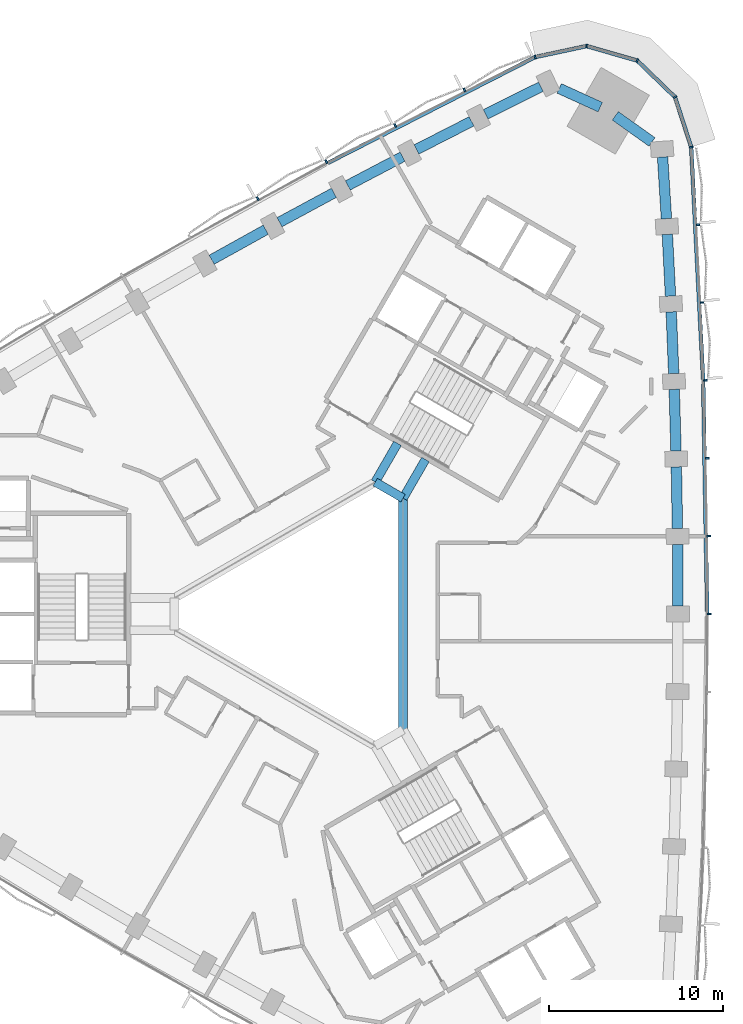
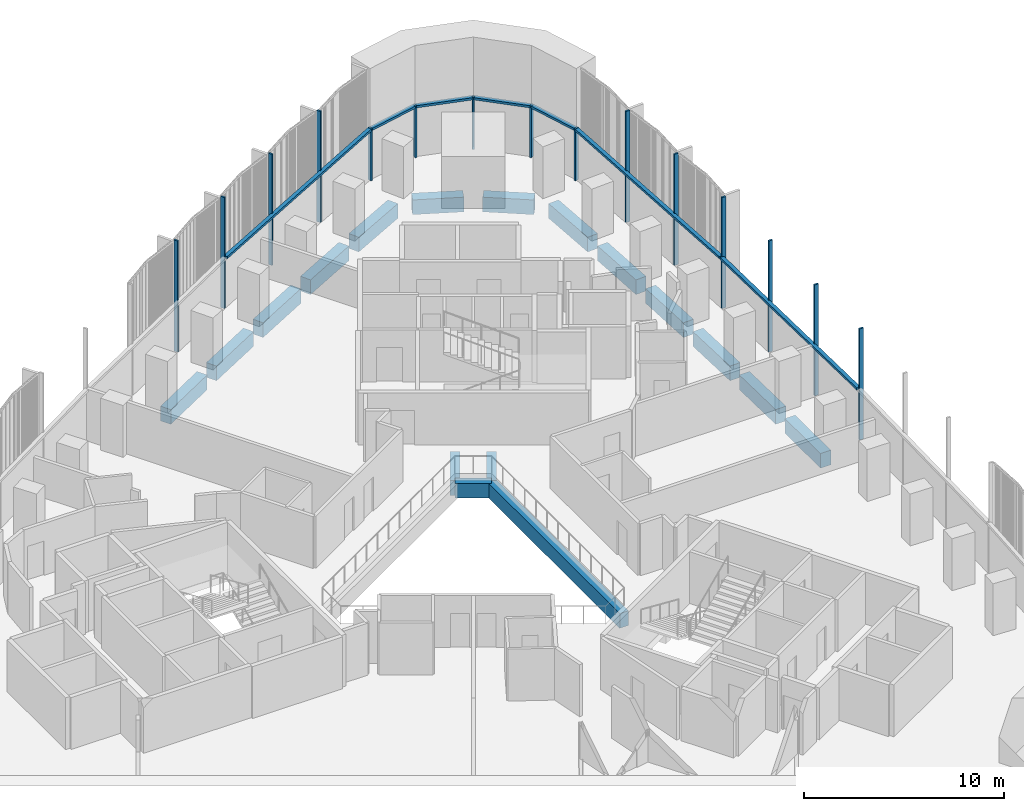
# One storey, part 5 of 15: 22 members, 17 beams, 2 elements without a shape of their own.
"""IFC4 building model written with IfcOpenShell, lengths in metres."""

from ifc_helpers import new_model, si_unit, direction, frame, origin, origin_2d, place, context, subcontext, project, spatial, rectangle, extrude, material, material_profile, profile_set, type_object, element, aggregate, save


model = new_model("IFC4")

# Units and contexts
model_context = context("Model", 3, precision=1e-05, world=origin(), true_north=direction((0.0, 1.0)))
body_context = subcontext(model_context, "Body", "Model", "MODEL_VIEW")
ifc_project = project(units=[si_unit("LENGTHUNIT", "METRE"), si_unit("AREAUNIT", "SQUARE_METRE"), si_unit("VOLUMEUNIT", "CUBIC_METRE"), si_unit("PLANEANGLEUNIT", "RADIAN"), si_unit("MASSUNIT", "GRAM", prefix="KILO")], contexts=[model_context])

# Site, building, storey
site_placement = place(None, origin())
site = spatial("IfcSite", under=ifc_project, at=site_placement, CompositionType="ELEMENT")
building_placement = place(site_placement, origin())
building = spatial("IfcBuilding", under=site, at=building_placement, Name="Tamra Quay Hotel Tower", CompositionType="ELEMENT")
storey_placement = place(building_placement, frame((0.0, 0.0, 111.800048828125)))
storey = spatial("IfcBuildingStorey", under=building, at=storey_placement, Name="L27", CompositionType="ELEMENT", Elevation=111.800048828125)

# Beams
ifc_material_1 = material(Name="Concrete M60", Category="concrete")
ifc_material_profile_1 = material_profile(ifc_material_1, rectangle(XDim=0.5, YDim=0.89990234375, at=origin_2d()), Name="ATRIUM EDGE BEAM RC 500x900")
ifc_profile_set_1 = profile_set([ifc_material_profile_1], Name="Concrete M60")
beam_type_1 = type_object("IfcBeamType", Name="ATRIUM EDGE BEAM RC 500x900", PredefinedType="BEAM", material=ifc_profile_set_1)
beam_1_placement = place(storey_placement, frame((4.89990234375, 6.639404296875, -0.875), z_axis=(0.0, -1.0, 0.0), x_axis=(1.0, 0.0, 0.0)))
element("IfcBeam", 1, at=beam_1_placement, inside=storey, type_object=beam_type_1, Name="BM-AB0-L27", PredefinedType="BEAM", context=body_context, shape_type="SweptSolid", body=[
    extrude(rectangle(XDim=0.5, YDim=0.89990234375, at=origin_2d()), origin(), (0.0, 0.0, 1.0), 13.27880859375),
])
beam_2_placement = place(storey_placement, frame((3.300048828125, 7.563232421875, -0.875), z_axis=(0.865989712182, -0.500061814573, 0.0), x_axis=(0.500061814573, 0.865989712182, 0.0)))
element("IfcBeam", 2, at=beam_2_placement, inside=storey, type_object=beam_type_1, Name="BM-AB5-L27", PredefinedType="BEAM", context=body_context, shape_type="SweptSolid", body=[
    extrude(rectangle(XDim=0.5, YDim=0.89990234375, at=origin_2d()), origin(), (0.0, 0.0, 1.0), 1.847412109375),
])
ifc_material_profile_2 = material_profile(ifc_material_1, rectangle(XDim=0.5, YDim=0.89990234375, at=origin_2d()), Name="ATRIUM TIE BEAM RC 500x900")
ifc_profile_set_2 = profile_set([ifc_material_profile_2], Name="Concrete M60")
beam_type_2 = type_object("IfcBeamType", Name="ATRIUM TIE BEAM RC 500x900", PredefinedType="BEAM", material=ifc_profile_set_2)
for number, where, z_axis, x_axis, name in (
    (3, (4.89990234375, 6.639404296875, -0.875), (0.50003311468, 0.866006284171, 0.0), (-0.866006284171, 0.50003311468, 0.0), "BM-TIE-0-L27"),
    (4, (3.300048828125, 7.563232421875, -0.875), (0.499961652204, 0.866047542763, 0.0), (-0.866047542763, 0.499961652204, 0.0), "BM-TIE-5-L27"),
):
    element("IfcBeam", number, at=place(storey_placement, frame(where, z_axis=z_axis, x_axis=x_axis)), inside=storey, type_object=beam_type_2, Name=name, PredefinedType="BEAM", context=body_context, shape_type="SweptSolid", body=[
        extrude(rectangle(XDim=0.5, YDim=0.89990234375, at=origin_2d()), origin(), (0.0, 0.0, 1.0), 2.562255859375),
    ])

# Curtain wall, members
ifc_material_2 = material(Name="Aluminium 6063 anodised dark grey", Category="aluminium")
curtain_wall_type_1 = type_object("IfcCurtainWallType", Name="CW1 CURTAIN WALL", PredefinedType="NOTDEFINED", material=ifc_material_2)
curtain_wall_1_placement = place(storey_placement, origin())
curtain_wall_1 = element("IfcCurtainWall", 5, at=curtain_wall_1_placement, inside=storey, type_object=curtain_wall_type_1, Name="CW1 east face L27", PredefinedType="NOTDEFINED")
ifc_material_profile_3 = material_profile(ifc_material_2, rectangle(XDim=0.219970703125, YDim=0.10009765625, at=origin_2d()), Name="MULLION 100X220")
ifc_profile_set_3 = profile_set([ifc_material_profile_3], Name="Aluminium 6063 anodised dark grey")
member_type_1 = type_object("IfcMemberType", Name="MULLION CW1 Z2", PredefinedType="MULLION", material=ifc_profile_set_3)
member_1_placement = place(storey_placement, frame((22.44287109375, 0.0, 0.0), z_axis=(0.0, 0.0, 1.0), x_axis=(1.0, 0.0, 0.0)))
member_1 = element("IfcMember", 6, at=member_1_placement, type_object=member_type_1, Name="CW1 mullion L27.E.7", PredefinedType="MULLION", context=body_context, shape_type="SweptSolid", body=[
    extrude(rectangle(XDim=0.219970703125, YDim=0.10009765625, at=origin_2d()), origin(), (0.0, 0.0, 1.0), 6.800048828125),
])
member_2_placement = place(storey_placement, frame((22.41748046875, 4.465087890625, 0.0), z_axis=(0.0, 0.0, 1.0), x_axis=(0.999934749978, 0.011423475244, 0.0)))
member_2 = element("IfcMember", 7, at=member_2_placement, type_object=member_type_1, Name="CW1 mullion L27.E.8", PredefinedType="MULLION", context=body_context, shape_type="SweptSolid", body=[
    extrude(rectangle(XDim=0.219970703125, YDim=0.10009765625, at=origin_2d()), origin(), (0.0, 0.0, 1.0), 6.800048828125),
])
member_3_placement = place(storey_placement, frame((22.341064453125, 8.9296875, 0.0), z_axis=(0.0, 0.0, 1.0), x_axis=(0.99973912308, 0.022840441834, 0.0)))
member_3 = element("IfcMember", 8, at=member_3_placement, type_object=member_type_1, Name="CW1 mullion L27.E.9", PredefinedType="MULLION", context=body_context, shape_type="SweptSolid", body=[
    extrude(rectangle(XDim=0.219970703125, YDim=0.10009765625, at=origin_2d()), origin(), (0.0, 0.0, 1.0), 6.800048828125),
])
member_4_placement = place(storey_placement, frame((22.21337890625, 13.39306640625, 0.0), z_axis=(0.0, 0.0, 1.0), x_axis=(0.999413449002, 0.034245553786, 0.0)))
member_4 = element("IfcMember", 9, at=member_4_placement, type_object=member_type_1, Name="CW1 mullion L27.E.10", PredefinedType="MULLION", context=body_context, shape_type="SweptSolid", body=[
    extrude(rectangle(XDim=0.219970703125, YDim=0.10009765625, at=origin_2d()), origin(), (0.0, 0.0, 1.0), 6.800048828125),
])
member_5_placement = place(storey_placement, frame((22.03515625, 17.854736328125, 0.0), z_axis=(0.0, 0.0, 1.0), x_axis=(0.99895827695, 0.045632892877, 0.0)))
member_5 = element("IfcMember", 10, at=member_5_placement, type_object=member_type_1, Name="CW1 mullion L27.E.11", PredefinedType="MULLION", context=body_context, shape_type="SweptSolid", body=[
    extrude(rectangle(XDim=0.219970703125, YDim=0.10009765625, at=origin_2d()), origin(), (0.0, 0.0, 1.0), 6.800048828125),
])
member_6_placement = place(storey_placement, frame((21.805908203125, 22.31396484375, 0.0), z_axis=(0.0, 0.0, 1.0), x_axis=(0.998374392499, 0.056996249012, 0.0)))
member_6 = element("IfcMember", 11, at=member_6_placement, type_object=member_type_1, Name="CW1 mullion L27.E.12", PredefinedType="MULLION", context=body_context, shape_type="SweptSolid", body=[
    extrude(rectangle(XDim=0.219970703125, YDim=0.10009765625, at=origin_2d()), origin(), (0.0, 0.0, 1.0), 6.800048828125),
])
member_7_placement = place(storey_placement, frame((21.41650390625, 26.762451171875, 0.0), z_axis=(0.0, 0.0, 1.0), x_axis=(0.982419074219, 0.18668894614, 0.0)))
member_7 = element("IfcMember", 12, at=member_7_placement, type_object=member_type_1, Name="CW1 mullion L27.E.13", PredefinedType="MULLION", context=body_context, shape_type="SweptSolid", body=[
    extrude(rectangle(XDim=0.219970703125, YDim=0.10009765625, at=origin_2d()), origin(), (0.0, 0.0, 1.0), 3.175048828125),
])
member_8_placement = place(storey_placement, frame((20.488037109375, 29.6328125, 0.0), z_axis=(0.0, 0.0, 1.0), x_axis=(0.848503146373, 0.529190334941, 0.0)))
member_8 = element("IfcMember", 13, at=member_8_placement, type_object=member_type_1, Name="CW1 mullion L27.E.14", PredefinedType="MULLION", context=body_context, shape_type="SweptSolid", body=[
    extrude(rectangle(XDim=0.219970703125, YDim=0.10009765625, at=origin_2d()), origin(), (0.0, 0.0, 1.0), 3.175048828125),
])
member_9_placement = place(storey_placement, frame((18.31884765625, 31.729248046875, 0.0), z_axis=(0.0, 0.0, 1.0), x_axis=(0.5, 0.866025403784, 0.0)))
member_9 = element("IfcMember", 14, at=member_9_placement, type_object=member_type_1, Name="CW1 mullion L27.E.15", PredefinedType="MULLION", context=body_context, shape_type="SweptSolid", body=[
    extrude(rectangle(XDim=0.219970703125, YDim=0.10009765625, at=origin_2d()), origin(), (0.0, 0.0, 1.0), 3.175048828125),
])
member_10_placement = place(storey_placement, frame((15.418701171875, 32.559326171875, 0.0), z_axis=(0.0, 0.0, 1.0), x_axis=(0.03404070031, 0.999420447421, 0.0)))
member_10 = element("IfcMember", 15, at=member_10_placement, type_object=member_type_1, Name="CW1 mullion L27.E.16", PredefinedType="MULLION", context=body_context, shape_type="SweptSolid", body=[
    extrude(rectangle(XDim=0.219970703125, YDim=0.10009765625, at=origin_2d()), origin(), (0.0, 0.0, 1.0), 3.175048828125),
])

curtain_wall_type_2 = type_object("IfcCurtainWallType", Name="CW2 CURTAIN WALL", PredefinedType="NOTDEFINED", material=ifc_material_2)
curtain_wall_2_placement = place(storey_placement, origin())
curtain_wall_2 = element("IfcCurtainWall", 16, at=curtain_wall_2_placement, inside=storey, type_object=curtain_wall_type_2, Name="CW2 north-west face L27", PredefinedType="NOTDEFINED")
ifc_material_profile_4 = material_profile(ifc_material_2, rectangle(XDim=0.219970703125, YDim=0.10009765625, at=origin_2d()), Name="MULLION 100X220")
ifc_profile_set_4 = profile_set([ifc_material_profile_4], Name="Aluminium 6063 anodised dark grey")
member_type_2 = type_object("IfcMemberType", Name="MULLION CW2 Z2", PredefinedType="MULLION", material=ifc_profile_set_4)
member_11_placement = place(storey_placement, frame((12.46875, 31.928466796875, 0.0), z_axis=(0.0, 0.0, 1.0), x_axis=(-0.329532167147, 0.944144348506, 0.0)))
member_11 = element("IfcMember", 17, at=member_11_placement, type_object=member_type_2, Name="CW2 mullion L27.NW.1", PredefinedType="MULLION", context=body_context, shape_type="SweptSolid", body=[
    extrude(rectangle(XDim=0.219970703125, YDim=0.10009765625, at=origin_2d()), origin(), (0.0, 0.0, 1.0), 3.175048828125),
])
member_12_placement = place(storey_placement, frame((8.421630859375, 30.04150390625, 0.0), z_axis=(0.0, 0.0, 1.0), x_axis=(-0.449826996685, 0.893115710899, 0.0)))
member_12 = element("IfcMember", 18, at=member_12_placement, type_object=member_type_2, Name="CW2 mullion L27.NW.2", PredefinedType="MULLION", context=body_context, shape_type="SweptSolid", body=[
    extrude(rectangle(XDim=0.219970703125, YDim=0.10009765625, at=origin_2d()), origin(), (0.0, 0.0, 1.0), 6.800048828125),
])
member_13_placement = place(storey_placement, frame((4.445068359375, 28.01025390625, 0.0), z_axis=(0.0, 0.0, 1.0), x_axis=(-0.459959893996, 0.887939691598, 0.0)))
member_13 = element("IfcMember", 19, at=member_13_placement, type_object=member_type_2, Name="CW2 mullion L27.NW.3", PredefinedType="MULLION", context=body_context, shape_type="SweptSolid", body=[
    extrude(rectangle(XDim=0.219970703125, YDim=0.10009765625, at=origin_2d()), origin(), (0.0, 0.0, 1.0), 6.800048828125),
])
member_14_placement = place(storey_placement, frame((0.491943359375, 25.93408203125, 0.0), z_axis=(0.0, 0.0, 1.0), x_axis=(-0.470049204955, 0.882640212613, 0.0)))
member_14 = element("IfcMember", 20, at=member_14_placement, type_object=member_type_2, Name="CW2 mullion L27.NW.4", PredefinedType="MULLION", context=body_context, shape_type="SweptSolid", body=[
    extrude(rectangle(XDim=0.219970703125, YDim=0.10009765625, at=origin_2d()), origin(), (0.0, 0.0, 1.0), 6.800048828125),
])
member_15_placement = place(storey_placement, frame((-3.43701171875, 23.812744140625, 0.0), z_axis=(0.0, 0.0, 1.0), x_axis=(-0.480089158678, 0.877219698662, 0.0)))
member_15 = element("IfcMember", 21, at=member_15_placement, type_object=member_type_2, Name="CW2 mullion L27.NW.5", PredefinedType="MULLION", context=body_context, shape_type="SweptSolid", body=[
    extrude(rectangle(XDim=0.219970703125, YDim=0.10009765625, at=origin_2d()), origin(), (0.0, 0.0, 1.0), 6.800048828125),
])

# Beams
ifc_material_profile_5 = material_profile(ifc_material_1, rectangle(XDim=0.60009765625, YDim=0.89990234375, at=origin_2d()), Name="SPANDREL BEAM RC 600x900")
ifc_profile_set_5 = profile_set([ifc_material_profile_5], Name="Concrete M60")
beam_type_3 = type_object("IfcBeamType", Name="SPANDREL BEAM RC 600x900", PredefinedType="SPANDREL", material=ifc_profile_set_5)
beam_3_placement = place(storey_placement, frame((20.656494140625, 0.449951171875, -0.875), z_axis=(-0.005716160055, 0.999983662624, 0.0), x_axis=(-0.999983662624, -0.005716160055, 0.0)))
element("IfcBeam", 22, at=beam_3_placement, inside=storey, type_object=beam_type_3, Name="BM-SP2-006-L27", PredefinedType="SPANDREL", context=body_context, shape_type="SweptSolid", body=[
    extrude(rectangle(XDim=0.60009765625, YDim=0.89990234375, at=origin_2d()), origin(), (0.0, 0.0, 1.0), 3.544921875),
])
beam_4_placement = place(storey_placement, frame((20.6259765625, 4.894775390625, -0.875), z_axis=(-0.017149781635, 0.99985293168, 0.0), x_axis=(-0.99985293168, -0.017149781635, 0.0)))
element("IfcBeam", 23, at=beam_4_placement, inside=storey, type_object=beam_type_3, Name="BM-SP2-007-L27", PredefinedType="SPANDREL", context=body_context, shape_type="SweptSolid", body=[
    extrude(rectangle(XDim=0.60009765625, YDim=0.89990234375, at=origin_2d()), origin(), (0.0, 0.0, 1.0), 3.544677734375),
])
for number, where, z_axis, x_axis, name in (
    (24, (20.544677734375, 9.338623046875, -0.875), (-0.02858140136, 0.999591468299, 0.0), (-0.999591468299, -0.02858140136, 0.0), "BM-SP2-008-L27"),
    (25, (20.41259765625, 13.781494140625, -0.875), (-0.039946034354, 0.999201838639, 0.0), (-0.999201838639, -0.039946034354, 0.0), "BM-SP2-009-L27"),
):
    element("IfcBeam", number, at=place(storey_placement, frame(where, z_axis=z_axis, x_axis=x_axis)), inside=storey, type_object=beam_type_3, Name=name, PredefinedType="SPANDREL", context=body_context, shape_type="SweptSolid", body=[
        extrude(rectangle(XDim=0.60009765625, YDim=0.89990234375, at=origin_2d()), origin(), (0.0, 0.0, 1.0), 3.544921875),
    ])
beam_5_placement = place(storey_placement, frame((20.22998046875, 18.22265625, -0.875), z_axis=(-0.051311627905, 0.998682690769, 0.0), x_axis=(-0.998682690769, -0.051311627905, 0.0)))
element("IfcBeam", 26, at=beam_5_placement, inside=storey, type_object=beam_type_3, Name="BM-SP2-010-L27", PredefinedType="SPANDREL", context=body_context, shape_type="SweptSolid", body=[
    extrude(rectangle(XDim=0.60009765625, YDim=0.89990234375, at=origin_2d()), origin(), (0.0, 0.0, 1.0), 3.544677734375),
])
beam_6_placement = place(storey_placement, frame((19.99658203125, 22.661376953125, -0.875), z_axis=(-0.062669833409, 0.99803431403, 0.0), x_axis=(-0.99803431403, -0.062669833409, 0.0)))
element("IfcBeam", 27, at=beam_6_placement, inside=storey, type_object=beam_type_3, Name="BM-SP2-011-L27", PredefinedType="SPANDREL", context=body_context, shape_type="SweptSolid", body=[
    extrude(rectangle(XDim=0.60009765625, YDim=0.89990234375, at=origin_2d()), origin(), (0.0, 0.0, 1.0), 3.545166015625),
])
for number, where, z_axis, x_axis, name in (
    (28, (19.168701171875, 27.060302734375, -0.875), (-0.814339289036, 0.580389112865, 0.0), (-0.580389112865, -0.814339289036, 0.0), "BM-SP2-012-L27"),
    (29, (16.202392578125, 29.057861328125, -0.875), (-0.909819048293, 0.415005179923, 0.0), (-0.415005179923, -0.909819048293, 0.0), "BM-SP2-013-L27"),
):
    element("IfcBeam", number, at=place(storey_placement, frame(where, z_axis=z_axis, x_axis=x_axis)), inside=storey, type_object=beam_type_3, Name=name, PredefinedType="SPANDREL", context=body_context, shape_type="SweptSolid", body=[
        extrude(rectangle(XDim=0.60009765625, YDim=0.89990234375, at=origin_2d()), origin(), (0.0, 0.0, 1.0), 2.5849609375),
    ])
beam_7_placement = place(storey_placement, frame((12.802001953125, 30.22509765625, -0.875), z_axis=(-0.895622275285, -0.444815399928, 0.0), x_axis=(0.444815399928, -0.895622275285, 0.0)))
element("IfcBeam", 30, at=beam_7_placement, inside=storey, type_object=beam_type_3, Name="BM-SP2-014-L27", PredefinedType="SPANDREL", context=body_context, shape_type="SweptSolid", body=[
    extrude(rectangle(XDim=0.60009765625, YDim=0.89990234375, at=origin_2d()), origin(), (0.0, 0.0, 1.0), 3.545166015625),
])
beam_8_placement = place(storey_placement, frame((8.8232421875, 28.243408203125, -0.875), z_axis=(-0.890551251107, -0.45488291807, 0.0), x_axis=(0.45488291807, -0.890551251107, 0.0)))
element("IfcBeam", 31, at=beam_8_placement, inside=storey, type_object=beam_type_3, Name="BM-SP2-015-L27", PredefinedType="SPANDREL", context=body_context, shape_type="SweptSolid", body=[
    extrude(rectangle(XDim=0.60009765625, YDim=0.89990234375, at=origin_2d()), origin(), (0.0, 0.0, 1.0), 3.544921875),
])
beam_9_placement = place(storey_placement, frame((4.8671875, 26.216796875, -0.875), z_axis=(-0.885322773021, -0.464976975312, 0.0), x_axis=(0.464976975312, -0.885322773021, 0.0)))
element("IfcBeam", 32, at=beam_9_placement, inside=storey, type_object=beam_type_3, Name="BM-SP2-016-L27", PredefinedType="SPANDREL", context=body_context, shape_type="SweptSolid", body=[
    extrude(rectangle(XDim=0.60009765625, YDim=0.89990234375, at=origin_2d()), origin(), (0.0, 0.0, 1.0), 3.544677734375),
])
for number, where, z_axis, x_axis, name in (
    (33, (0.9345703125, 24.1455078125, -0.875), (-0.879950887438, -0.475064664753, 0.0), (0.475064664753, -0.879950887438, 0.0), "BM-SP2-017-L27"),
    (34, (-2.97412109375, 22.029296875, -0.875), (-0.874475461638, -0.48506975477, 0.0), (0.48506975477, -0.874475461638, 0.0), "BM-SP2-018-L27"),
):
    element("IfcBeam", number, at=place(storey_placement, frame(where, z_axis=z_axis, x_axis=x_axis)), inside=storey, type_object=beam_type_3, Name=name, PredefinedType="SPANDREL", context=body_context, shape_type="SweptSolid", body=[
        extrude(rectangle(XDim=0.60009765625, YDim=0.89990234375, at=origin_2d()), origin(), (0.0, 0.0, 1.0), 3.544921875),
    ])

# Member
ifc_material_profile_6 = material_profile(ifc_material_2, rectangle(XDim=0.219970703125, YDim=0.139892578125, at=origin_2d()), Name="TRANSOM 220X140")
ifc_profile_set_6 = profile_set([ifc_material_profile_6], Name="Aluminium 6063 anodised dark grey")
member_type_3 = type_object("IfcMemberType", Name="TRANSOM CW1 Z2", PredefinedType="USERDEFINED", material=ifc_profile_set_6)
member_16_placement = place(storey_placement, frame((22.332763671875, 0.050048828125, 3.10498046875), z_axis=(-0.017137820377, 0.999853136772, 0.0), x_axis=(-0.999853136772, -0.017137820377, 0.0)))
member_16 = element("IfcMember", 35, at=member_16_placement, type_object=member_type_3, Name="CW1 transom L27.E.7", ObjectType="TRANSOM", PredefinedType="USERDEFINED", context=body_context, shape_type="SweptSolid", body=[
    extrude(rectangle(XDim=0.219970703125, YDim=0.139892578125, at=origin_2d()), origin(), (0.0, 0.0, 1.0), 13.291259765625),
])

member_17_placement = place(storey_placement, frame((22.1015625, 13.439208984375, 3.10498046875), z_axis=(-0.051322797132, 0.998682116839, 0.0), x_axis=(-0.998682116839, -0.051322797132, 0.0)))
member_17 = element("IfcMember", 36, at=member_17_placement, type_object=member_type_3, Name="CW1 transom L27.E.10", ObjectType="TRANSOM", PredefinedType="USERDEFINED", context=body_context, shape_type="SweptSolid", body=[
    extrude(rectangle(XDim=0.219970703125, YDim=0.139892578125, at=origin_2d()), origin(), (0.0, 0.0, 1.0), 13.291015625),
])

member_18_placement = place(storey_placement, frame((21.401123046875, 26.81005859375, 3.10498046875), z_axis=(-0.307777941734, 0.95145821694, 0.0), x_axis=(-0.95145821694, -0.307777941734, 0.0)))
member_18 = element("IfcMember", 37, at=member_18_placement, type_object=member_type_3, Name="CW1 transom L27.E.13", ObjectType="TRANSOM", PredefinedType="USERDEFINED", context=body_context, shape_type="SweptSolid", body=[
    extrude(rectangle(XDim=0.219970703125, YDim=0.139892578125, at=origin_2d()), origin(), (0.0, 0.0, 1.0), 2.916748046875),
])

member_19_placement = place(storey_placement, frame((20.451904296875, 29.66748046875, 3.10498046875), z_axis=(-0.719058089649, 0.694949972092, 0.0), x_axis=(-0.694949972092, -0.719058089649, 0.0)))
member_19 = element("IfcMember", 38, at=member_19_placement, type_object=member_type_3, Name="CW1 transom L27.E.14", ObjectType="TRANSOM", PredefinedType="USERDEFINED", context=body_context, shape_type="SweptSolid", body=[
    extrude(rectangle(XDim=0.219970703125, YDim=0.139892578125, at=origin_2d()), origin(), (0.0, 0.0, 1.0), 2.91650390625),
])

member_20_placement = place(storey_placement, frame((18.270751953125, 31.742919921875, 3.10498046875), z_axis=(-0.961378509885, 0.275229650893, 0.0), x_axis=(-0.275229650893, -0.961378509885, 0.0)))
member_20 = element("IfcMember", 39, at=member_20_placement, type_object=member_type_3, Name="CW1 transom L27.E.15", ObjectType="TRANSOM", PredefinedType="USERDEFINED", context=body_context, shape_type="SweptSolid", body=[
    extrude(rectangle(XDim=0.219970703125, YDim=0.139892578125, at=origin_2d()), origin(), (0.0, 0.0, 1.0), 2.91650390625),
])

member_21_placement = place(storey_placement, frame((15.369873046875, 32.549072265625, 3.10498046875), z_axis=(-0.97787585355, -0.209186077557, 0.0), x_axis=(0.209186077557, -0.97787585355, 0.0)))
member_21 = element("IfcMember", 40, at=member_21_placement, type_object=member_type_3, Name="CW1 transom L27.E.16", ObjectType="TRANSOM", PredefinedType="USERDEFINED", context=body_context, shape_type="SweptSolid", body=[
    extrude(rectangle(XDim=0.219970703125, YDim=0.139892578125, at=origin_2d()), origin(), (0.0, 0.0, 1.0), 2.91650390625),
])

aggregate(curtain_wall_1, [member_1, member_16, member_2, member_3, member_4, member_17, member_5, member_6, member_7, member_18, member_8, member_19, member_9, member_20, member_10, member_21])

ifc_material_profile_7 = material_profile(ifc_material_2, rectangle(XDim=0.219970703125, YDim=0.139892578125, at=origin_2d()), Name="TRANSOM 220X140")
ifc_profile_set_7 = profile_set([ifc_material_profile_7], Name="Aluminium 6063 anodised dark grey")
member_type_4 = type_object("IfcMemberType", Name="TRANSOM CW2 Z2", PredefinedType="USERDEFINED", material=ifc_profile_set_7)
member_22_placement = place(storey_placement, frame((12.424072265625, 31.90625, 3.10498046875), z_axis=(-0.89053639512, -0.454912001344, 0.0), x_axis=(0.454912001344, -0.89053639512, 0.0)))
member_22 = element("IfcMember", 41, at=member_22_placement, type_object=member_type_4, Name="CW2 transom L27.NW.1", ObjectType="TRANSOM", PredefinedType="USERDEFINED", context=body_context, shape_type="SweptSolid", body=[
    extrude(rectangle(XDim=0.219970703125, YDim=0.139892578125, at=origin_2d()), origin(), (0.0, 0.0, 1.0), 13.290771484375),
])

aggregate(curtain_wall_2, [member_11, member_22, member_12, member_13, member_14, member_15])

save(model, "model.ifc")
